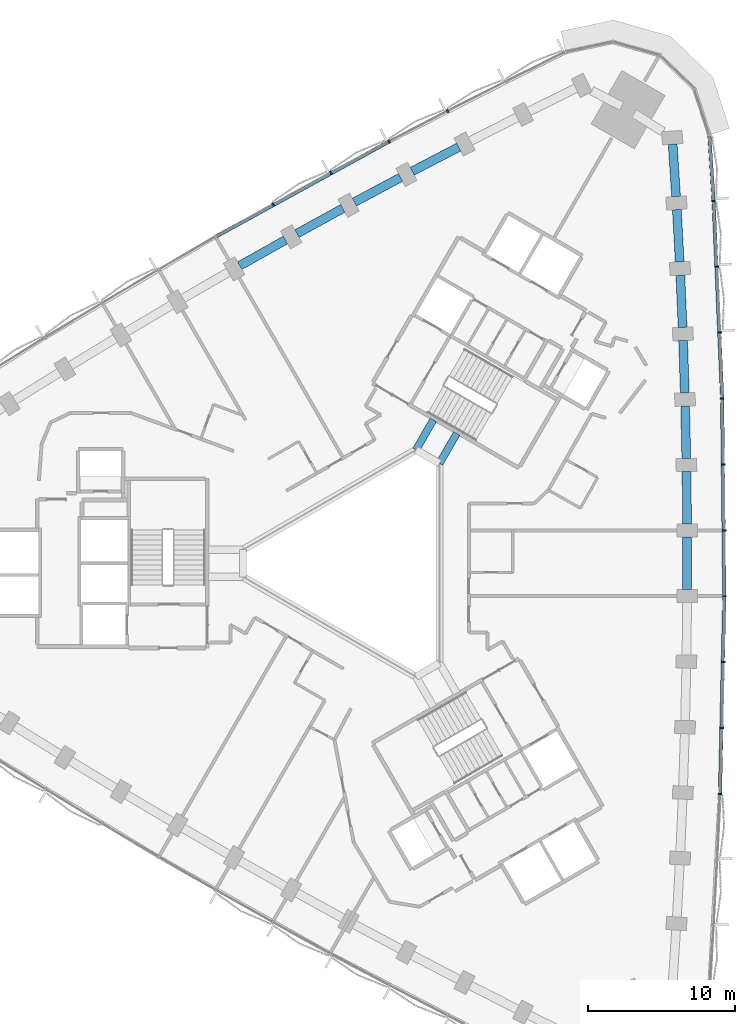
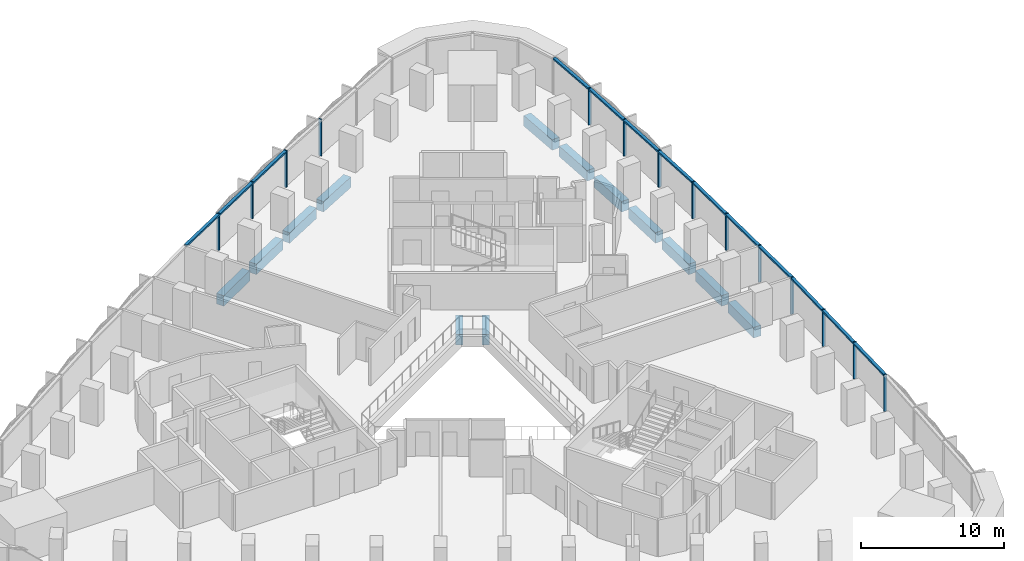
# One storey, part 5 of 15: 19 members, 13 beams, 2 elements without a shape of their own.
"""IFC4 building model written with IfcOpenShell, lengths in metres."""

from ifc_helpers import new_model, si_unit, direction, frame, origin, origin_2d, place, context, subcontext, project, spatial, rectangle, extrude, material, material_profile, profile_set, type_object, element, aggregate, save


model = new_model("IFC4")

# Units and contexts
model_context = context("Model", 3, precision=1e-05, world=origin(), true_north=direction((0.0, 1.0)))
body_context = subcontext(model_context, "Body", "Model", "MODEL_VIEW")
ifc_project = project(units=[si_unit("LENGTHUNIT", "METRE"), si_unit("AREAUNIT", "SQUARE_METRE"), si_unit("VOLUMEUNIT", "CUBIC_METRE"), si_unit("PLANEANGLEUNIT", "RADIAN"), si_unit("MASSUNIT", "GRAM", prefix="KILO")], contexts=[model_context])

# Site, building, storey
site_placement = place(None, origin())
site = spatial("IfcSite", under=ifc_project, at=site_placement, CompositionType="ELEMENT")
building_placement = place(site_placement, origin())
building = spatial("IfcBuilding", under=site, at=building_placement, Name="Tamra Quay Hotel Tower", CompositionType="ELEMENT")
storey_placement = place(building_placement, frame((0.0, 0.0, 53.0)))
storey = spatial("IfcBuildingStorey", under=building, at=storey_placement, Name="L11", CompositionType="ELEMENT", Elevation=53.0)

# Beams
ifc_material_1 = material(Name="Concrete M60", Category="concrete")
ifc_material_profile_1 = material_profile(ifc_material_1, rectangle(XDim=0.5, YDim=0.89990234375, at=origin_2d()), Name="ATRIUM TIE BEAM RC 500x900")
ifc_profile_set_1 = profile_set([ifc_material_profile_1], Name="Concrete M60")
beam_type_1 = type_object("IfcBeamType", Name="ATRIUM TIE BEAM RC 500x900", PredefinedType="BEAM", material=ifc_profile_set_1)
for number, where, z_axis, x_axis, name in (
    (1, (5.0, 6.812744140625, -0.925048828125), (0.500029618126, 0.866008303076, 0.0), (-0.866008303076, 0.500029618126, 0.0), "BM-TIE-0-L11"),
    (2, (3.39990234375, 7.736572265625, -0.925048828125), (0.500029618126, 0.866008303076, 0.0), (-0.866008303076, 0.500029618126, 0.0), "BM-TIE-5-L11"),
):
    element("IfcBeam", number, at=place(storey_placement, frame(where, z_axis=z_axis, x_axis=x_axis)), inside=storey, type_object=beam_type_1, Name=name, PredefinedType="BEAM", context=body_context, shape_type="SweptSolid", body=[
        extrude(rectangle(XDim=0.5, YDim=0.89990234375, at=origin_2d()), origin(), (0.0, 0.0, 1.0), 2.362060546875),
    ])

# Curtain wall, members
ifc_material_2 = material(Name="Aluminium 6063 anodised dark grey", Category="aluminium")
curtain_wall_type_1 = type_object("IfcCurtainWallType", Name="CW1 CURTAIN WALL", PredefinedType="NOTDEFINED", material=ifc_material_2)
curtain_wall_1_placement = place(storey_placement, origin())
curtain_wall_1 = element("IfcCurtainWall", 3, at=curtain_wall_1_placement, inside=storey, type_object=curtain_wall_type_1, Name="CW1 east face L11", PredefinedType="NOTDEFINED")
ifc_material_profile_2 = material_profile(ifc_material_2, rectangle(XDim=0.239990234375, YDim=0.10009765625, at=origin_2d()), Name="MULLION 100X240")
ifc_profile_set_2 = profile_set([ifc_material_profile_2], Name="Aluminium 6063 anodised dark grey")
member_type_1 = type_object("IfcMemberType", Name="MULLION CW1 Z1", PredefinedType="MULLION", material=ifc_profile_set_2)
member_1_placement = place(storey_placement, frame((24.137939453125, -15.738525390625, 0.0), z_axis=(0.0, 0.0, 1.0), x_axis=(0.999282269294, -0.037880684725, 0.0)))
member_1 = element("IfcMember", 4, at=member_1_placement, type_object=member_type_1, Name="CW1 mullion L11.E.4", PredefinedType="MULLION", context=body_context, shape_type="SweptSolid", body=[
    extrude(rectangle(XDim=0.239990234375, YDim=0.10009765625, at=origin_2d()), origin(), (0.0, 0.0, 1.0), 3.125),
])
member_2_placement = place(storey_placement, frame((24.283935546875, -11.24365234375, 0.0), z_axis=(0.0, 0.0, 1.0), x_axis=(0.999633634744, -0.027066515987, 0.0)))
member_2 = element("IfcMember", 5, at=member_2_placement, type_object=member_type_1, Name="CW1 mullion L11.E.5", PredefinedType="MULLION", context=body_context, shape_type="SweptSolid", body=[
    extrude(rectangle(XDim=0.239990234375, YDim=0.10009765625, at=origin_2d()), origin(), (0.0, 0.0, 1.0), 3.125),
])
member_3_placement = place(storey_placement, frame((24.38134765625, -6.74560546875, 0.0), z_axis=(0.0, 0.0, 1.0), x_axis=(0.99986801088, -0.01624687107, 0.0)))
member_3 = element("IfcMember", 6, at=member_3_placement, type_object=member_type_1, Name="CW1 mullion L11.E.6", PredefinedType="MULLION", context=body_context, shape_type="SweptSolid", body=[
    extrude(rectangle(XDim=0.239990234375, YDim=0.10009765625, at=origin_2d()), origin(), (0.0, 0.0, 1.0), 3.125),
])
member_4_placement = place(storey_placement, frame((24.43017578125, -2.248779296875, 0.0), z_axis=(0.0, 0.0, 1.0), x_axis=(0.999985322571, -0.005417992405, 0.0)))
member_4 = element("IfcMember", 7, at=member_4_placement, type_object=member_type_1, Name="CW1 mullion L11.E.7", PredefinedType="MULLION", context=body_context, shape_type="SweptSolid", body=[
    extrude(rectangle(XDim=0.239990234375, YDim=0.10009765625, at=origin_2d()), origin(), (0.0, 0.0, 1.0), 3.125),
])
member_5_placement = place(storey_placement, frame((24.43017578125, 2.248779296875, 0.0), z_axis=(0.0, 0.0, 1.0), x_axis=(0.999985322571, 0.005417992405, 0.0)))
member_5 = element("IfcMember", 8, at=member_5_placement, type_object=member_type_1, Name="CW1 mullion L11.E.8", PredefinedType="MULLION", context=body_context, shape_type="SweptSolid", body=[
    extrude(rectangle(XDim=0.239990234375, YDim=0.10009765625, at=origin_2d()), origin(), (0.0, 0.0, 1.0), 3.125),
])
member_6_placement = place(storey_placement, frame((24.38134765625, 6.74560546875, 0.0), z_axis=(0.0, 0.0, 1.0), x_axis=(0.99986801088, 0.01624687107, 0.0)))
member_6 = element("IfcMember", 9, at=member_6_placement, type_object=member_type_1, Name="CW1 mullion L11.E.9", PredefinedType="MULLION", context=body_context, shape_type="SweptSolid", body=[
    extrude(rectangle(XDim=0.239990234375, YDim=0.10009765625, at=origin_2d()), origin(), (0.0, 0.0, 1.0), 3.125),
])
member_7_placement = place(storey_placement, frame((24.283935546875, 11.24365234375, 0.0), z_axis=(0.0, 0.0, 1.0), x_axis=(0.999633634744, 0.027066515987, 0.0)))
member_7 = element("IfcMember", 10, at=member_7_placement, type_object=member_type_1, Name="CW1 mullion L11.E.10", PredefinedType="MULLION", context=body_context, shape_type="SweptSolid", body=[
    extrude(rectangle(XDim=0.239990234375, YDim=0.10009765625, at=origin_2d()), origin(), (0.0, 0.0, 1.0), 3.125),
])
member_8_placement = place(storey_placement, frame((24.137939453125, 15.738525390625, 0.0), z_axis=(0.0, 0.0, 1.0), x_axis=(0.999282269294, 0.037880684725, 0.0)))
member_8 = element("IfcMember", 11, at=member_8_placement, type_object=member_type_1, Name="CW1 mullion L11.E.11", PredefinedType="MULLION", context=body_context, shape_type="SweptSolid", body=[
    extrude(rectangle(XDim=0.239990234375, YDim=0.10009765625, at=origin_2d()), origin(), (0.0, 0.0, 1.0), 3.125),
])
member_9_placement = place(storey_placement, frame((23.943115234375, 20.2314453125, 0.0), z_axis=(0.0, 0.0, 1.0), x_axis=(0.998814694093, 0.048674499108, 0.0)))
member_9 = element("IfcMember", 12, at=member_9_placement, type_object=member_type_1, Name="CW1 mullion L11.E.12", PredefinedType="MULLION", context=body_context, shape_type="SweptSolid", body=[
    extrude(rectangle(XDim=0.239990234375, YDim=0.10009765625, at=origin_2d()), origin(), (0.0, 0.0, 1.0), 3.125),
])
member_10_placement = place(storey_placement, frame((23.699951171875, 24.723876953125, 0.0), z_axis=(0.0, 0.0, 1.0), x_axis=(0.998231971154, 0.05943847042, 0.0)))
member_10 = element("IfcMember", 13, at=member_10_placement, type_object=member_type_1, Name="CW1 mullion L11.E.13", PredefinedType="MULLION", context=body_context, shape_type="SweptSolid", body=[
    extrude(rectangle(XDim=0.239990234375, YDim=0.10009765625, at=origin_2d()), origin(), (0.0, 0.0, 1.0), 3.125),
])

curtain_wall_type_2 = type_object("IfcCurtainWallType", Name="CW2 CURTAIN WALL", PredefinedType="NOTDEFINED", material=ifc_material_2)
curtain_wall_2_placement = place(storey_placement, origin())
curtain_wall_2 = element("IfcCurtainWall", 14, at=curtain_wall_2_placement, inside=storey, type_object=curtain_wall_type_2, Name="CW2 north-west face L11", PredefinedType="NOTDEFINED")
ifc_material_profile_3 = material_profile(ifc_material_2, rectangle(XDim=0.239990234375, YDim=0.10009765625, at=origin_2d()), Name="MULLION 100X240")
ifc_profile_set_3 = profile_set([ifc_material_profile_3], Name="Aluminium 6063 anodised dark grey")
member_type_2 = type_object("IfcMemberType", Name="MULLION CW2 Z1", PredefinedType="MULLION", material=ifc_profile_set_3)
member_11_placement = place(storey_placement, frame((5.54931640625, 30.851318359375, 0.0), z_axis=(0.0, 0.0, 1.0), x_axis=(-0.457253994303, 0.889336148312, 0.0)))
member_11 = element("IfcMember", 15, at=member_11_placement, type_object=member_type_2, Name="CW2 mullion L11.NW.3", PredefinedType="MULLION", context=body_context, shape_type="SweptSolid", body=[
    extrude(rectangle(XDim=0.239990234375, YDim=0.10009765625, at=origin_2d()), origin(), (0.0, 0.0, 1.0), 3.125),
])
member_12_placement = place(storey_placement, frame((1.56103515625, 28.773193359375, 0.0), z_axis=(0.0, 0.0, 1.0), x_axis=(-0.466835499362, 0.884344173122, 0.0)))
member_12 = element("IfcMember", 16, at=member_12_placement, type_object=member_type_2, Name="CW2 mullion L11.NW.4", PredefinedType="MULLION", context=body_context, shape_type="SweptSolid", body=[
    extrude(rectangle(XDim=0.239990234375, YDim=0.10009765625, at=origin_2d()), origin(), (0.0, 0.0, 1.0), 3.125),
])
member_13_placement = place(storey_placement, frame((-2.40478515625, 26.65234375, 0.0), z_axis=(0.0, 0.0, 1.0), x_axis=(-0.476376526936, 0.87924138016, 0.0)))
member_13 = element("IfcMember", 17, at=member_13_placement, type_object=member_type_2, Name="CW2 mullion L11.NW.5", PredefinedType="MULLION", context=body_context, shape_type="SweptSolid", body=[
    extrude(rectangle(XDim=0.239990234375, YDim=0.10009765625, at=origin_2d()), origin(), (0.0, 0.0, 1.0), 3.125),
])
member_14_placement = place(storey_placement, frame((-6.3486328125, 24.48779296875, 0.0), z_axis=(0.0, 0.0, 1.0), x_axis=(-0.485863802361, 0.874034533388, 0.0)))
member_14 = element("IfcMember", 18, at=member_14_placement, type_object=member_type_2, Name="CW2 mullion L11.NW.6", PredefinedType="MULLION", context=body_context, shape_type="SweptSolid", body=[
    extrude(rectangle(XDim=0.239990234375, YDim=0.10009765625, at=origin_2d()), origin(), (0.0, 0.0, 1.0), 3.125),
])

# Beams
ifc_material_profile_4 = material_profile(ifc_material_1, rectangle(XDim=0.60009765625, YDim=0.89990234375, at=origin_2d()), Name="SPANDREL BEAM RC 600x900")
ifc_profile_set_4 = profile_set([ifc_material_profile_4], Name="Concrete M60")
beam_type_2 = type_object("IfcBeamType", Name="SPANDREL BEAM RC 600x900", PredefinedType="SPANDREL", material=ifc_profile_set_4)
beam_1_placement = place(storey_placement, frame((21.894287109375, -1.785400390625, -0.925048828125), z_axis=(0.0, 1.0, 0.0), x_axis=(-1.0, 0.0, 0.0)))
element("IfcBeam", 19, at=beam_1_placement, inside=storey, type_object=beam_type_2, Name="BM-SP1-006-L11", PredefinedType="SPANDREL", context=body_context, shape_type="SweptSolid", body=[
    extrude(rectangle(XDim=0.60009765625, YDim=0.89990234375, at=origin_2d()), origin(), (0.0, 0.0, 1.0), 3.57080078125),
])
beam_2_placement = place(storey_placement, frame((21.889404296875, 2.685302734375, -0.925048828125), z_axis=(-0.010803527021, 0.999941640199, 0.0), x_axis=(-0.999941640199, -0.010803527021, 0.0)))
element("IfcBeam", 20, at=beam_2_placement, inside=storey, type_object=beam_type_2, Name="BM-SP1-007-L11", PredefinedType="SPANDREL", context=body_context, shape_type="SweptSolid", body=[
    extrude(rectangle(XDim=0.60009765625, YDim=0.89990234375, at=origin_2d()), origin(), (0.0, 0.0, 1.0), 3.570556640625),
])
beam_3_placement = place(storey_placement, frame((21.836181640625, 7.155517578125, -0.925048828125), z_axis=(-0.021679013576, 0.999764982569, 0.0), x_axis=(-0.999764982569, -0.021679013576, 0.0)))
element("IfcBeam", 21, at=beam_3_placement, inside=storey, type_object=beam_type_2, Name="BM-SP1-008-L11", PredefinedType="SPANDREL", context=body_context, shape_type="SweptSolid", body=[
    extrude(rectangle(XDim=0.60009765625, YDim=0.89990234375, at=origin_2d()), origin(), (0.0, 0.0, 1.0), 3.56982421875),
])
for number, where, z_axis, x_axis, name in (
    (22, (21.734619140625, 11.624267578125, -0.925048828125), (-0.032547568535, 0.999470187541, 0.0), (-0.999470187541, -0.032547568535, 0.0), "BM-SP1-009-L11"),
    (23, (21.58447265625, 16.09228515625, -0.925048828125), (-0.043282922957, 0.99906285517, 0.0), (-0.99906285517, -0.043282922957, 0.0), "BM-SP1-010-L11"),
):
    element("IfcBeam", number, at=place(storey_placement, frame(where, z_axis=z_axis, x_axis=x_axis)), inside=storey, type_object=beam_type_2, Name=name, PredefinedType="SPANDREL", context=body_context, shape_type="SweptSolid", body=[
        extrude(rectangle(XDim=0.60009765625, YDim=0.89990234375, at=origin_2d()), origin(), (0.0, 0.0, 1.0), 3.570556640625),
    ])
beam_4_placement = place(storey_placement, frame((21.385986328125, 20.558349609375, -0.925048828125), z_axis=(-0.054026860576, 0.998539482613, 0.0), x_axis=(-0.998539482613, -0.054026860576, 0.0)))
element("IfcBeam", 24, at=beam_4_placement, inside=storey, type_object=beam_type_2, Name="BM-SP1-011-L11", PredefinedType="SPANDREL", context=body_context, shape_type="SweptSolid", body=[
    extrude(rectangle(XDim=0.60009765625, YDim=0.89990234375, at=origin_2d()), origin(), (0.0, 0.0, 1.0), 3.56982421875),
])
beam_5_placement = place(storey_placement, frame((21.139404296875, 25.021484375, -0.925048828125), z_axis=(-0.064749077985, 0.99790157676, 0.0), x_axis=(-0.99790157676, -0.064749077985, 0.0)))
element("IfcBeam", 25, at=beam_5_placement, inside=storey, type_object=beam_type_2, Name="BM-SP1-012-L11", PredefinedType="SPANDREL", context=body_context, shape_type="SweptSolid", body=[
    extrude(rectangle(XDim=0.60009765625, YDim=0.89990234375, at=origin_2d()), origin(), (0.0, 0.0, 1.0), 3.57080078125),
])
beam_6_placement = place(storey_placement, frame((6.310546875, 28.388427734375, -0.925048828125), z_axis=(-0.886863886749, -0.462030785101, 0.0), x_axis=(0.462030785101, -0.886863886749, 0.0)))
element("IfcBeam", 26, at=beam_6_placement, inside=storey, type_object=beam_type_2, Name="BM-SP1-017-L11", PredefinedType="SPANDREL", context=body_context, shape_type="SweptSolid", body=[
    extrude(rectangle(XDim=0.60009765625, YDim=0.89990234375, at=origin_2d()), origin(), (0.0, 0.0, 1.0), 3.570556640625),
])
beam_7_placement = place(storey_placement, frame((2.34814453125, 26.318603515625, -0.925048828125), z_axis=(-0.881809110934, -0.471606501094, 0.0), x_axis=(0.471606501094, -0.881809110934, 0.0)))
element("IfcBeam", 27, at=beam_7_placement, inside=storey, type_object=beam_type_2, Name="BM-SP1-018-L11", PredefinedType="SPANDREL", context=body_context, shape_type="SweptSolid", body=[
    extrude(rectangle(XDim=0.60009765625, YDim=0.89990234375, at=origin_2d()), origin(), (0.0, 0.0, 1.0), 3.5703125),
])
beam_8_placement = place(storey_placement, frame((-1.591796875, 24.2060546875, -0.925048828125), z_axis=(-0.876617015828, -0.481188744216, 0.0), x_axis=(0.481188744216, -0.876617015828, 0.0)))
element("IfcBeam", 28, at=beam_8_placement, inside=storey, type_object=beam_type_2, Name="BM-SP1-019-L11", PredefinedType="SPANDREL", context=body_context, shape_type="SweptSolid", body=[
    extrude(rectangle(XDim=0.60009765625, YDim=0.89990234375, at=origin_2d()), origin(), (0.0, 0.0, 1.0), 3.56982421875),
])
beam_9_placement = place(storey_placement, frame((-5.5078125, 22.051025390625, -0.925048828125), z_axis=(-0.871431243693, -0.49051767299, 0.0), x_axis=(0.49051767299, -0.871431243693, 0.0)))
element("IfcBeam", 29, at=beam_9_placement, inside=storey, type_object=beam_type_2, Name="BM-SP1-020-L11", PredefinedType="SPANDREL", context=body_context, shape_type="SweptSolid", body=[
    extrude(rectangle(XDim=0.60009765625, YDim=0.89990234375, at=origin_2d()), origin(), (0.0, 0.0, 1.0), 3.570556640625),
])

# Member
ifc_material_profile_5 = material_profile(ifc_material_2, rectangle(XDim=0.239990234375, YDim=0.139892578125, at=origin_2d()), Name="TRANSOM 240X140")
ifc_profile_set_5 = profile_set([ifc_material_profile_5], Name="Aluminium 6063 anodised dark grey")
member_type_3 = type_object("IfcMemberType", Name="TRANSOM CW1 Z1", PredefinedType="USERDEFINED", material=ifc_profile_set_5)
member_15_placement = place(storey_placement, frame((24.139404296875, -15.6884765625, 3.054931640625), z_axis=(0.02165596486, 0.999765482094, 0.0), x_axis=(-0.999765482094, 0.02165596486, 0.0)))
member_15 = element("IfcMember", 30, at=member_15_placement, type_object=member_type_3, Name="CW1 transom L11.E.4", ObjectType="TRANSOM", PredefinedType="USERDEFINED", context=body_context, shape_type="SweptSolid", body=[
    extrude(rectangle(XDim=0.239990234375, YDim=0.139892578125, at=origin_2d()), origin(), (0.0, 0.0, 1.0), 13.39306640625),
])

member_16_placement = place(storey_placement, frame((24.43017578125, -2.19873046875, 3.054931640625), z_axis=(-0.010846139849, 0.999941178895, 0.0), x_axis=(-0.999941178895, -0.010846139849, 0.0)))
member_16 = element("IfcMember", 31, at=member_16_placement, type_object=member_type_3, Name="CW1 transom L11.E.7", ObjectType="TRANSOM", PredefinedType="USERDEFINED", context=body_context, shape_type="SweptSolid", body=[
    extrude(rectangle(XDim=0.239990234375, YDim=0.139892578125, at=origin_2d()), origin(), (0.0, 0.0, 1.0), 13.39306640625),
])

member_17_placement = place(storey_placement, frame((24.2822265625, 11.29345703125, 3.054931640625), z_axis=(-0.043275844727, 0.999063161799, 0.0), x_axis=(-0.999063161799, -0.043275844727, 0.0)))
member_17 = element("IfcMember", 32, at=member_17_placement, type_object=member_type_3, Name="CW1 transom L11.E.10", ObjectType="TRANSOM", PredefinedType="USERDEFINED", context=body_context, shape_type="SweptSolid", body=[
    extrude(rectangle(XDim=0.239990234375, YDim=0.139892578125, at=origin_2d()), origin(), (0.0, 0.0, 1.0), 13.392822265625),
])

member_18_placement = place(storey_placement, frame((23.69677734375, 24.773681640625, 3.054931640625), z_axis=(-0.064805058394, 0.997897942881, 0.0), x_axis=(-0.997897942881, -0.064805058394, 0.0)))
member_18 = element("IfcMember", 33, at=member_18_placement, type_object=member_type_3, Name="CW1 transom L11.E.13", ObjectType="TRANSOM", PredefinedType="USERDEFINED", context=body_context, shape_type="SweptSolid", body=[
    extrude(rectangle(XDim=0.239990234375, YDim=0.139892578125, at=origin_2d()), origin(), (0.0, 0.0, 1.0), 4.396484375),
])

aggregate(curtain_wall_1, [member_1, member_15, member_2, member_3, member_4, member_16, member_5, member_6, member_7, member_17, member_8, member_9, member_10, member_18])

ifc_material_profile_6 = material_profile(ifc_material_2, rectangle(XDim=0.239990234375, YDim=0.139892578125, at=origin_2d()), Name="TRANSOM 240X140")
ifc_profile_set_6 = profile_set([ifc_material_profile_6], Name="Aluminium 6063 anodised dark grey")
member_type_4 = type_object("IfcMemberType", Name="TRANSOM CW2 Z1", PredefinedType="USERDEFINED", material=ifc_profile_set_6)
member_19_placement = place(storey_placement, frame((1.516845703125, 28.749755859375, 3.054931640625), z_axis=(-0.876646998642, -0.481134118279, 0.0), x_axis=(0.481134118279, -0.876646998642, 0.0)))
member_19 = element("IfcMember", 34, at=member_19_placement, type_object=member_type_4, Name="CW2 transom L11.NW.4", ObjectType="TRANSOM", PredefinedType="USERDEFINED", context=body_context, shape_type="SweptSolid", body=[
    extrude(rectangle(XDim=0.239990234375, YDim=0.139892578125, at=origin_2d()), origin(), (0.0, 0.0, 1.0), 13.39306640625),
])

aggregate(curtain_wall_2, [member_11, member_12, member_19, member_13, member_14])

save(model, "model.ifc")
